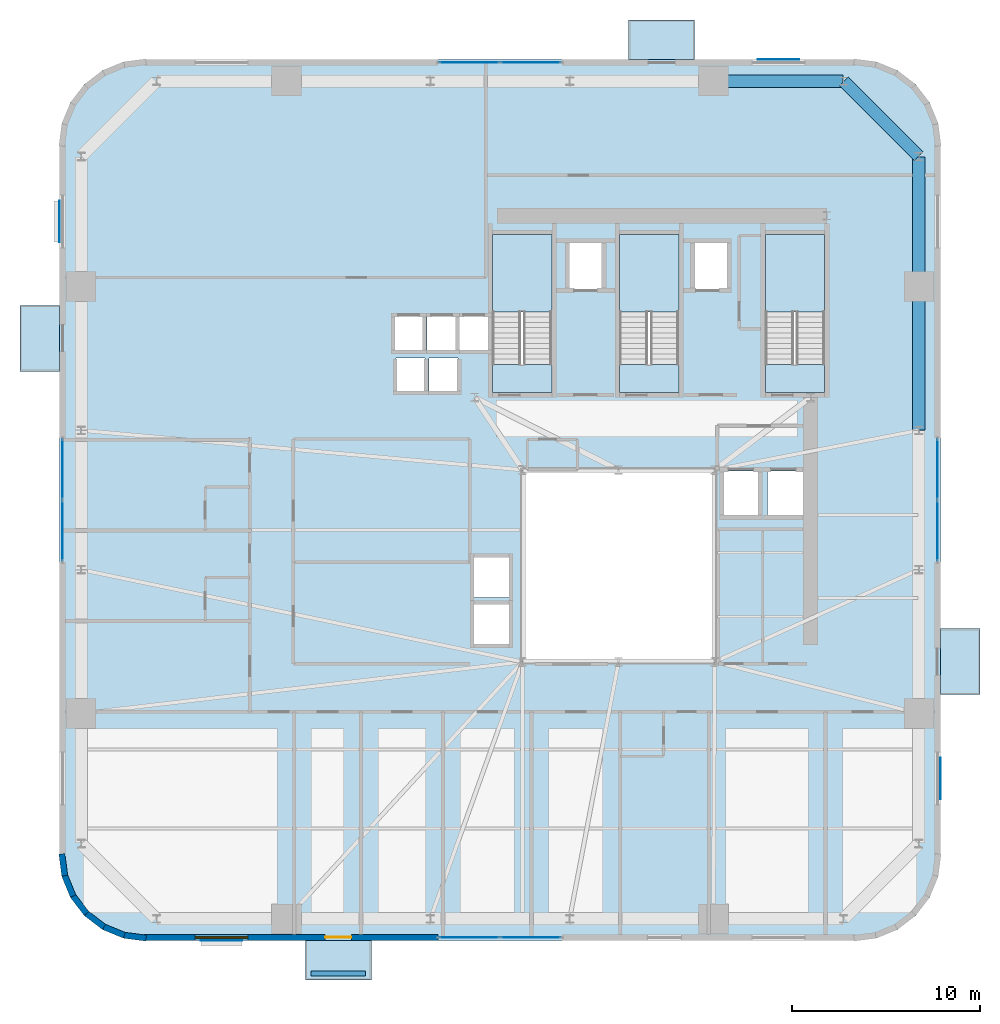
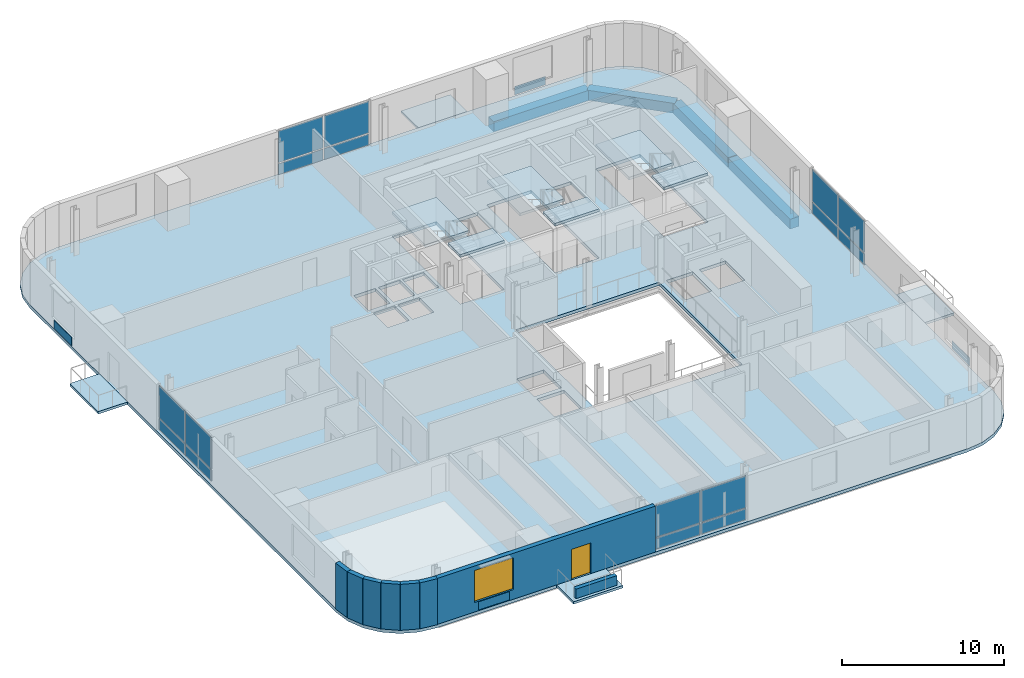
# One storey, part 5 of 11: 20 plates, 11 slabs, 8 walls, 4 beams, 1 door, 1 window, 2 openings, 7 elements without a shape of their own.
"""IFC4 building model written with IfcOpenShell, lengths in metres."""

from ifc_helpers import new_model, si_unit, direction, frame, frame_2d, origin, origin_2d, place, context, subcontext, project, spatial, polyline, rectangle, outline, extrude, source, transform, mapped, material, layer, layer_set, material_profile, profile_set, type_object, element, fill, aggregate, save


model = new_model("IFC4")

# Units and contexts
model_context = context("Model", 3, precision=1e-05, world=origin(), true_north=direction((0.0, 1.0)))
body_context = subcontext(model_context, "Body", "Model", "MODEL_VIEW")
ifc_project = project(units=[si_unit("LENGTHUNIT", "METRE"), si_unit("AREAUNIT", "SQUARE_METRE"), si_unit("VOLUMEUNIT", "CUBIC_METRE"), si_unit("PLANEANGLEUNIT", "RADIAN"), si_unit("MASSUNIT", "GRAM", prefix="KILO")], contexts=[model_context])

# Site, building, storey
site_placement = place(None, origin())
site = spatial("IfcSite", under=ifc_project, at=site_placement, CompositionType="ELEMENT")
building_placement = place(site_placement, origin())
building = spatial("IfcBuilding", under=site, at=building_placement, Name="Vardaveli Station Tower", CompositionType="ELEMENT")
storey_placement = place(building_placement, frame((0.0, 0.0, 155.699951171875)))
storey = spatial("IfcBuildingStorey", under=building, at=storey_placement, Name="L40", CompositionType="ELEMENT", Elevation=155.699951171875)

# Beams
ifc_material_1 = material(Name="Precast concrete C45/55", Category="concrete")
ifc_material_profile = material_profile(ifc_material_1, rectangle(XDim=0.64990234375, YDim=0.75, at=origin_2d()), Name="LPB 650x750")
ifc_profile_set = profile_set([ifc_material_profile], Name="Precast concrete C45/55")
beam_type = type_object("IfcBeamType", Name="BM-LPB-750", PredefinedType="BEAM", material=ifc_profile_set)
shared_shape_1 = source(origin(), body_context, "Body", "SweptSolid", [
    extrude(rectangle(XDim=0.64990234375, YDim=0.75, at=origin_2d()), origin(), (0.0, 0.0, 1.0), 7.60009765625),
])
beam_1_placement = place(storey_placement, frame((52.25, 28.919921875, -0.614990234375), z_axis=(0.0, 1.0, 0.0), x_axis=(-1.0, 0.0, 0.0)))
element("IfcBeam", 1, at=beam_1_placement, inside=storey, type_object=beam_type, Name="RBM-L40-09", PredefinedType="BEAM", context=body_context, shape_type="MappedRepresentation", body=[
    mapped(shared_shape_1, transform((0.0, 0.0, 0.0), scale=1.0)),
])
shared_shape_2 = source(origin(), body_context, "Body", "SweptSolid", [
    extrude(rectangle(XDim=0.64990234375, YDim=0.75, at=origin_2d()), origin(), (0.0, 0.0, 1.0), 6.869873046875),
])
for number, where, z_axis, x_axis, name in (
    (2, (52.25, 36.56005859375, -0.614990234375), (0.0, 1.0, 0.0), (-1.0, 0.0, 0.0), "RBM-L40-10"),
    (3, (48.22998046875, 47.449951171875, -0.614990234375), (-1.0, 0.0, 0.0), (0.0, -1.0, 0.0), "RBM-L40-12"),
):
    element("IfcBeam", number, at=place(storey_placement, frame(where, z_axis=z_axis, x_axis=x_axis)), inside=storey, type_object=beam_type, Name=name, PredefinedType="BEAM", context=body_context, shape_type="MappedRepresentation", body=[
        mapped(shared_shape_2, transform((0.0, 0.0, 0.0), scale=1.0)),
    ])
shared_shape_3 = source(origin(), body_context, "Body", "SweptSolid", [
    extrude(rectangle(XDim=0.64990234375, YDim=0.75, at=origin_2d()), origin(), (0.0, 0.0, 1.0), 5.61669921875),
])
beam_2_placement = place(storey_placement, frame((52.23583984375, 43.464111328125, -0.614990234375), z_axis=(-0.707106781187, 0.707106781187, 0.0), x_axis=(-0.707106781187, -0.707106781187, 0.0)))
element("IfcBeam", 4, at=beam_2_placement, inside=storey, type_object=beam_type, Name="RBM-L40-11", PredefinedType="BEAM", context=body_context, shape_type="MappedRepresentation", body=[
    mapped(shared_shape_3, transform((0.0, 0.0, 0.0), scale=1.0)),
])

# Stair, slabs
ifc_material_2 = material(Name="Concrete C40/50", Category="concrete")
stair_type = type_object("IfcStairType", Name="STR-CORE-1500", PredefinedType="HALF_TURN_STAIR", material=ifc_material_2)
stair_1_placement = place(storey_placement, origin())
stair_1 = element("IfcStair", 5, at=stair_1_placement, inside=storey, type_object=stair_type, Name="L40 ST-1", PredefinedType="HALF_TURN_STAIR")
ifc_layer_1 = layer(ifc_material_2, 0.199951171875, Name="Concrete C40/50")
ifc_layer_set_1 = layer_set([ifc_layer_1], Name="Concrete C40/50")
slab_type_1 = type_object("IfcSlabType", Name="SLB-LAND-200", PredefinedType="LANDING", material=ifc_layer_set_1)
slab_1_placement = place(storey_placement, frame((0.0, 0.0, 1.650146484375)))
slab_1 = element("IfcSlab", 6, at=slab_1_placement, type_object=slab_type_1, Name="ST-1 landing 1", PredefinedType="LANDING", context=body_context, shape_type="SweptSolid", body=[
    extrude(outline(polyline([(32.75, 35.199951171875), (32.75, 39.300048828125), (29.60009765625, 39.300048828125), (29.60009765625, 35.199951171875), (32.75, 35.199951171875)])), origin(), (0.0, 0.0, 1.0), 0.199951171875),
])
slab_2_placement = place(storey_placement, frame((0.0, 0.0, 3.5)))
slab_2 = element("IfcSlab", 7, at=slab_2_placement, type_object=slab_type_1, Name="ST-1 landing 2", PredefinedType="LANDING", context=body_context, shape_type="SweptSolid", body=[
    extrude(outline(polyline([(32.75, 30.89990234375), (32.75, 32.39990234375), (29.60009765625, 32.39990234375), (29.60009765625, 30.89990234375), (32.75, 30.89990234375)])), origin(), (0.0, 0.0, 1.0), 0.199951171875),
])
aggregate(stair_1, [slab_1, slab_2])

stair_2_placement = place(storey_placement, origin())
stair_2 = element("IfcStair", 8, at=stair_2_placement, inside=storey, type_object=stair_type, Name="L40 ST-2", PredefinedType="HALF_TURN_STAIR")
slab_3_placement = place(storey_placement, frame((0.0, 0.0, 1.650146484375)))
slab_3 = element("IfcSlab", 9, at=slab_3_placement, type_object=slab_type_1, Name="ST-2 landing 1", PredefinedType="LANDING", context=body_context, shape_type="SweptSolid", body=[
    extrude(outline(polyline([(39.5, 35.199951171875), (39.5, 39.300048828125), (36.35009765625, 39.300048828125), (36.35009765625, 35.199951171875), (39.5, 35.199951171875)])), origin(), (0.0, 0.0, 1.0), 0.199951171875),
])
slab_4_placement = place(storey_placement, frame((0.0, 0.0, 3.5)))
slab_4 = element("IfcSlab", 10, at=slab_4_placement, type_object=slab_type_1, Name="ST-2 landing 2", PredefinedType="LANDING", context=body_context, shape_type="SweptSolid", body=[
    extrude(outline(polyline([(39.5, 30.89990234375), (39.5, 32.39990234375), (36.35009765625, 32.39990234375), (36.35009765625, 30.89990234375), (39.5, 30.89990234375)])), origin(), (0.0, 0.0, 1.0), 0.199951171875),
])
aggregate(stair_2, [slab_3, slab_4])

stair_3_placement = place(storey_placement, origin())
stair_3 = element("IfcStair", 11, at=stair_3_placement, inside=storey, type_object=stair_type, Name="L40 ST-3", PredefinedType="HALF_TURN_STAIR")
slab_5_placement = place(storey_placement, frame((0.0, 0.0, 1.650146484375)))
slab_5 = element("IfcSlab", 12, at=slab_5_placement, type_object=slab_type_1, Name="ST-3 landing 1", PredefinedType="LANDING", context=body_context, shape_type="SweptSolid", body=[
    extrude(outline(polyline([(47.25, 35.199951171875), (47.25, 39.300048828125), (44.10009765625, 39.300048828125), (44.10009765625, 35.199951171875), (47.25, 35.199951171875)])), origin(), (0.0, 0.0, 1.0), 0.199951171875),
])
slab_6_placement = place(storey_placement, frame((0.0, 0.0, 3.5)))
slab_6 = element("IfcSlab", 13, at=slab_6_placement, type_object=slab_type_1, Name="ST-3 landing 2", PredefinedType="LANDING", context=body_context, shape_type="SweptSolid", body=[
    extrude(outline(polyline([(47.25, 30.89990234375), (47.25, 32.39990234375), (44.10009765625, 32.39990234375), (44.10009765625, 30.89990234375), (47.25, 30.89990234375)])), origin(), (0.0, 0.0, 1.0), 0.199951171875),
])
aggregate(stair_3, [slab_5, slab_6])

# Slabs
ifc_layer_2 = layer(ifc_material_1, 0.179931640625, Name="Precast concrete C45/55")
ifc_layer_set_2 = layer_set([ifc_layer_2], Name="Precast concrete C45/55")
slab_type_2 = type_object("IfcSlabType", Name="SLB-LOGGIA-180", PredefinedType="FLOOR", material=ifc_layer_set_2)
slab_7_placement = place(storey_placement, frame((0.0, 0.0, -0.179931640625)))
element("IfcSlab", 14, at=slab_7_placement, inside=storey, type_object=slab_type_2, Name="LOG-L40-S", PredefinedType="FLOOR", context=body_context, shape_type="SweptSolid", body=[
    extrude(outline(polyline([(19.660400390625, -0.300048828125), (23.160400390625, -0.300048828125), (23.160400390625, 1.800048828125), (19.660400390625, 1.800048828125), (19.660400390625, -0.300048828125)])), origin(), (0.0, 0.0, 1.0), 0.179931640625),
])
slab_8_placement = place(storey_placement, frame((0.0, 0.0, -0.179931640625)))
element("IfcSlab", 15, at=slab_8_placement, inside=storey, type_object=slab_type_2, Name="LOG-L40-N", PredefinedType="FLOOR", context=body_context, shape_type="SweptSolid", body=[
    extrude(outline(polyline([(36.839599609375, 48.60009765625), (40.339599609375, 48.60009765625), (40.339599609375, 50.699951171875), (36.839599609375, 50.699951171875), (36.839599609375, 48.60009765625)])), origin(), (0.0, 0.0, 1.0), 0.179931640625),
])
slab_9_placement = place(storey_placement, frame((0.0, 0.0, -0.179931640625)))
element("IfcSlab", 16, at=slab_9_placement, inside=storey, type_object=slab_type_2, Name="LOG-L40-W", PredefinedType="FLOOR", context=body_context, shape_type="SweptSolid", body=[
    extrude(outline(polyline([(4.5, 32.03955078125), (6.60009765625, 32.03955078125), (6.60009765625, 35.53955078125), (4.5, 35.53955078125), (4.5, 32.03955078125)])), origin(), (0.0, 0.0, 1.0), 0.179931640625),
])
slab_10_placement = place(storey_placement, frame((0.0, 0.0, -0.179931640625)))
element("IfcSlab", 17, at=slab_10_placement, inside=storey, type_object=slab_type_2, Name="LOG-L40-E", PredefinedType="FLOOR", context=body_context, shape_type="SweptSolid", body=[
    extrude(outline(polyline([(53.39990234375, 14.8603515625), (55.5, 14.8603515625), (55.5, 18.3603515625), (53.39990234375, 18.3603515625), (53.39990234375, 14.8603515625)])), origin(), (0.0, 0.0, 1.0), 0.179931640625),
])
ifc_layer_3 = layer(ifc_material_2, 0.239990234375, Name="Concrete C40/50")
ifc_layer_set_3 = layer_set([ifc_layer_3], Name="Concrete C40/50")
slab_type_3 = type_object("IfcSlabType", Name="SLB-TOW-240", PredefinedType="FLOOR", material=ifc_layer_set_3)
slab_11_placement = place(storey_placement, frame((0.0, 0.0, -0.239990234375)))
element("IfcSlab", 18, at=slab_11_placement, inside=storey, type_object=slab_type_3, Name="SLB-L40-MAIN", PredefinedType="FLOOR", context=body_context, shape_type="SweptSolid", body=[
    extrude(outline(polyline([(6.60009765625, 6.300048828125), (6.75341796875, 5.13525390625), (7.202880859375, 4.050048828125), (7.91796875, 3.117919921875), (8.85009765625, 2.40283203125), (9.935302734375, 1.953369140625), (11.10009765625, 1.800048828125), (48.89990234375, 1.800048828125), (50.064697265625, 1.953369140625), (51.14990234375, 2.40283203125), (52.08203125, 3.117919921875), (52.797119140625, 4.050048828125), (53.24658203125, 5.13525390625), (53.39990234375, 6.300048828125), (53.39990234375, 44.10009765625), (53.24658203125, 45.2646484375), (52.797119140625, 46.35009765625), (52.08203125, 47.281982421875), (51.14990234375, 47.9970703125), (50.064697265625, 48.44677734375), (48.89990234375, 48.60009765625), (11.10009765625, 48.60009765625), (9.935302734375, 48.44677734375), (8.85009765625, 47.9970703125), (7.91796875, 47.281982421875), (7.202880859375, 46.35009765625), (6.75341796875, 45.2646484375), (6.60009765625, 44.10009765625), (6.60009765625, 6.300048828125)]), holes=[polyline([(31.199951171875, 16.60009765625), (41.39990234375, 16.60009765625), (41.39990234375, 26.800048828125), (31.199951171875, 26.800048828125), (31.199951171875, 16.60009765625)]), polyline([(32.75, 30.89990234375), (32.75, 39.300048828125), (29.60009765625, 39.300048828125), (29.60009765625, 30.89990234375), (32.75, 30.89990234375)]), polyline([(39.5, 30.89990234375), (39.5, 39.300048828125), (36.35009765625, 39.300048828125), (36.35009765625, 30.89990234375), (39.5, 30.89990234375)]), polyline([(47.25, 30.89990234375), (47.25, 39.300048828125), (44.10009765625, 39.300048828125), (44.10009765625, 30.89990234375), (47.25, 30.89990234375)]), polyline([(24.385009765625, 33.135009765625), (25.9150390625, 33.135009765625), (25.9150390625, 34.965087890625), (24.385009765625, 34.965087890625), (24.385009765625, 33.135009765625)]), polyline([(26.135009765625, 33.135009765625), (27.6650390625, 33.135009765625), (27.6650390625, 34.965087890625), (26.135009765625, 34.965087890625), (26.135009765625, 33.135009765625)]), polyline([(27.8349609375, 33.135009765625), (29.364990234375, 33.135009765625), (29.364990234375, 34.965087890625), (27.8349609375, 34.965087890625), (27.8349609375, 33.135009765625)]), polyline([(33.659912109375, 36.409912109375), (35.43994140625, 36.409912109375), (35.43994140625, 38.889892578125), (33.659912109375, 38.889892578125), (33.659912109375, 36.409912109375)]), polyline([(40.31005859375, 36.409912109375), (42.090087890625, 36.409912109375), (42.090087890625, 38.889892578125), (40.31005859375, 38.889892578125), (40.31005859375, 36.409912109375)]), polyline([(24.485107421875, 30.9599609375), (26.014892578125, 30.9599609375), (26.014892578125, 32.739990234375), (24.485107421875, 32.739990234375), (24.485107421875, 30.9599609375)]), polyline([(26.235107421875, 30.9599609375), (27.764892578125, 30.9599609375), (27.764892578125, 32.739990234375), (26.235107421875, 32.739990234375), (26.235107421875, 30.9599609375)]), polyline([(28.5849609375, 17.510009765625), (30.514892578125, 17.510009765625), (30.514892578125, 19.68994140625), (28.5849609375, 19.68994140625), (28.5849609375, 17.510009765625)]), polyline([(28.5849609375, 20.010009765625), (30.514892578125, 20.010009765625), (30.514892578125, 22.18994140625), (28.5849609375, 22.18994140625), (28.5849609375, 20.010009765625)]), polyline([(41.860107421875, 24.360107421875), (43.739990234375, 24.360107421875), (43.739990234375, 26.739990234375), (41.860107421875, 26.739990234375), (41.860107421875, 24.360107421875)]), polyline([(44.2099609375, 24.360107421875), (46.090087890625, 24.360107421875), (46.090087890625, 26.739990234375), (44.2099609375, 26.739990234375), (44.2099609375, 24.360107421875)])]), origin(), (0.0, 0.0, 1.0), 0.239990234375),
])

# Curtain wall, plates
ifc_material_3 = material(Name="Travertine stone and solar-control glass", Category="masonry")
curtain_wall_type = type_object("IfcCurtainWallType", Name="CW-SYS-2", PredefinedType="NOTDEFINED", material=ifc_material_3)
curtain_wall_1_placement = place(storey_placement, origin())
curtain_wall_1 = element("IfcCurtainWall", 19, at=curtain_wall_1_placement, inside=storey, type_object=curtain_wall_type, Name="CW-L40-S", PredefinedType="NOTDEFINED")
ifc_material_4 = material(Name="Double-glazed low-E solar-control glass", Category="glass")
ifc_layer_4 = layer(ifc_material_4, 0.035888671875, Name="Double-glazed low-E solar-control glass")
ifc_layer_set_4 = layer_set([ifc_layer_4], Name="Double-glazed low-E solar-control glass")
plate_type_1 = type_object("IfcPlateType", Name="CW-SYS-2-PAN", PredefinedType="CURTAIN_PANEL", material=ifc_layer_set_4)
shared_shape_4 = source(origin(), body_context, "Body", "SweptSolid", [
    extrude(rectangle(XDim=3.172607421875, YDim=0.035888671875, at=origin_2d()), origin(), (0.0, 0.0, 1.0), 0.822509765625),
])
plate_1_placement = place(storey_placement, frame((28.371337890625, 1.9599609375, 0.0849609375), z_axis=(0.0, 0.0, 1.0), x_axis=(1.0, 0.0, 0.0)))
plate_1 = element("IfcPlate", 20, at=plate_1_placement, type_object=plate_type_1, Name="CW-2 panel 1.1", PredefinedType="CURTAIN_PANEL", context=body_context, shape_type="MappedRepresentation", body=[
    mapped(shared_shape_4, transform((0.0, 0.0, 0.0), scale=1.0)),
])
plate_2_placement = place(storey_placement, frame((31.628662109375, 1.9599609375, 0.0849609375), z_axis=(0.0, 0.0, 1.0), x_axis=(1.0, 0.0, 0.0)))
plate_2 = element("IfcPlate", 21, at=plate_2_placement, type_object=plate_type_1, Name="CW-2 panel 2.1", PredefinedType="CURTAIN_PANEL", context=body_context, shape_type="MappedRepresentation", body=[
    mapped(shared_shape_4, transform((0.0, 0.0, 0.0), scale=1.0)),
])

curtain_wall_2_placement = place(storey_placement, origin())
curtain_wall_2 = element("IfcCurtainWall", 22, at=curtain_wall_2_placement, inside=storey, type_object=curtain_wall_type, Name="CW-L40-N", PredefinedType="NOTDEFINED")
plate_3_placement = place(storey_placement, frame((31.628662109375, 48.43994140625, 0.0849609375), z_axis=(0.0, 0.0, 1.0), x_axis=(-1.0, 0.0, 0.0)))
plate_3 = element("IfcPlate", 23, at=plate_3_placement, type_object=plate_type_1, Name="CW-2 panel 1.1", PredefinedType="CURTAIN_PANEL", context=body_context, shape_type="MappedRepresentation", body=[
    mapped(shared_shape_4, transform((0.0, 0.0, 0.0), scale=1.0)),
])
plate_4_placement = place(storey_placement, frame((28.371337890625, 48.43994140625, 0.0849609375), z_axis=(0.0, 0.0, 1.0), x_axis=(-1.0, 0.0, 0.0)))
plate_4 = element("IfcPlate", 24, at=plate_4_placement, type_object=plate_type_1, Name="CW-2 panel 2.1", PredefinedType="CURTAIN_PANEL", context=body_context, shape_type="MappedRepresentation", body=[
    mapped(shared_shape_4, transform((0.0, 0.0, 0.0), scale=1.0)),
])

curtain_wall_3_placement = place(storey_placement, origin())
curtain_wall_3 = element("IfcCurtainWall", 25, at=curtain_wall_3_placement, inside=storey, type_object=curtain_wall_type, Name="CW-L40-W", PredefinedType="NOTDEFINED")
plate_5_placement = place(storey_placement, frame((6.760009765625, 26.828857421875, 0.0849609375), z_axis=(0.0, 0.0, 1.0), x_axis=(0.0, -1.0, 0.0)))
plate_5 = element("IfcPlate", 26, at=plate_5_placement, type_object=plate_type_1, Name="CW-2 panel 1.1", PredefinedType="CURTAIN_PANEL", context=body_context, shape_type="MappedRepresentation", body=[
    mapped(shared_shape_4, transform((0.0, 0.0, 0.0), scale=1.0)),
])
plate_6_placement = place(storey_placement, frame((6.760009765625, 23.5712890625, 0.0849609375), z_axis=(0.0, 0.0, 1.0), x_axis=(0.0, -1.0, 0.0)))
plate_6 = element("IfcPlate", 27, at=plate_6_placement, type_object=plate_type_1, Name="CW-2 panel 2.1", PredefinedType="CURTAIN_PANEL", context=body_context, shape_type="MappedRepresentation", body=[
    mapped(shared_shape_4, transform((0.0, 0.0, 0.0), scale=1.0)),
])

curtain_wall_4_placement = place(storey_placement, origin())
curtain_wall_4 = element("IfcCurtainWall", 28, at=curtain_wall_4_placement, inside=storey, type_object=curtain_wall_type, Name="CW-L40-E", PredefinedType="NOTDEFINED")
plate_7_placement = place(storey_placement, frame((53.239990234375, 23.5712890625, 0.0849609375), z_axis=(0.0, 0.0, 1.0), x_axis=(0.0, 1.0, 0.0)))
plate_7 = element("IfcPlate", 29, at=plate_7_placement, type_object=plate_type_1, Name="CW-2 panel 1.1", PredefinedType="CURTAIN_PANEL", context=body_context, shape_type="MappedRepresentation", body=[
    mapped(shared_shape_4, transform((0.0, 0.0, 0.0), scale=1.0)),
])
plate_8_placement = place(storey_placement, frame((53.239990234375, 26.828857421875, 0.0849609375), z_axis=(0.0, 0.0, 1.0), x_axis=(0.0, 1.0, 0.0)))
plate_8 = element("IfcPlate", 30, at=plate_8_placement, type_object=plate_type_1, Name="CW-2 panel 2.1", PredefinedType="CURTAIN_PANEL", context=body_context, shape_type="MappedRepresentation", body=[
    mapped(shared_shape_4, transform((0.0, 0.0, 0.0), scale=1.0)),
])

# Plates
ifc_material_5 = material(Name="Honed Caucasian travertine stone", Category="masonry")
ifc_layer_5 = layer(ifc_material_5, 0.034912109375, Name="Honed Caucasian travertine stone")
ifc_layer_set_5 = layer_set([ifc_layer_5], Name="Honed Caucasian travertine stone")
plate_type_2 = type_object("IfcPlateType", Name="PLT-TRAV-35", PredefinedType="SHEET", material=ifc_layer_set_5)
shared_shape_5 = source(origin(), body_context, "Body", "SweptSolid", [
    extrude(rectangle(XDim=2.199951171875, YDim=0.034912109375, at=origin_2d()), origin(), (0.0, 0.0, 1.0), 0.6201171875),
])
for number, where, z_axis, x_axis, name in (
    (31, (15.205078125, 1.79052734375, 0.070068359375), (0.0, 0.0, 1.0), (1.0, 0.0, 0.0), "PLT-TR-L40-S"),
    (32, (44.794921875, 48.609619140625, 0.070068359375), (0.0, 0.0, 1.0), (1.0, 0.0, 0.0), "PLT-TR-L40-N"),
    (33, (6.590576171875, 39.9951171875, 0.070068359375), (0.0, 0.0, 1.0), (0.0, 1.0, 0.0), "PLT-TR-L40-W"),
    (34, (53.409423828125, 10.405029296875, 0.070068359375), (0.0, 0.0, 1.0), (0.0, 1.0, 0.0), "PLT-TR-L40-E"),
):
    element("IfcPlate", number, at=place(storey_placement, frame(where, z_axis=z_axis, x_axis=x_axis)), inside=storey, type_object=plate_type_2, Name=name, PredefinedType="SHEET", context=body_context, shape_type="MappedRepresentation", body=[
        mapped(shared_shape_5, transform((0.0, 0.0, 0.0), scale=1.0)),
    ])

# Plate
shared_shape_6 = source(origin(), body_context, "Body", "SweptSolid", [
    extrude(rectangle(XDim=3.172607421875, YDim=0.035888671875, at=origin_2d()), origin(), (0.0, 0.0, 1.0), 2.382568359375),
])
plate_9_placement = place(storey_placement, frame((28.371337890625, 1.9599609375, 0.99267578125), z_axis=(0.0, 0.0, 1.0), x_axis=(1.0, 0.0, 0.0)))
plate_9 = element("IfcPlate", 35, at=plate_9_placement, type_object=plate_type_1, Name="CW-2 panel 1.2", PredefinedType="CURTAIN_PANEL", context=body_context, shape_type="MappedRepresentation", body=[
    mapped(shared_shape_6, transform((0.0, 0.0, 0.0), scale=1.0)),
])

plate_10_placement = place(storey_placement, frame((31.628662109375, 1.9599609375, 0.99267578125), z_axis=(0.0, 0.0, 1.0), x_axis=(1.0, 0.0, 0.0)))
plate_10 = element("IfcPlate", 36, at=plate_10_placement, type_object=plate_type_1, Name="CW-2 panel 2.2", PredefinedType="CURTAIN_PANEL", context=body_context, shape_type="MappedRepresentation", body=[
    mapped(shared_shape_6, transform((0.0, 0.0, 0.0), scale=1.0)),
])

aggregate(curtain_wall_1, [plate_1, plate_9, plate_2, plate_10])

plate_11_placement = place(storey_placement, frame((31.628662109375, 48.43994140625, 0.99267578125), z_axis=(0.0, 0.0, 1.0), x_axis=(-1.0, 0.0, 0.0)))
plate_11 = element("IfcPlate", 37, at=plate_11_placement, type_object=plate_type_1, Name="CW-2 panel 1.2", PredefinedType="CURTAIN_PANEL", context=body_context, shape_type="MappedRepresentation", body=[
    mapped(shared_shape_6, transform((0.0, 0.0, 0.0), scale=1.0)),
])

plate_12_placement = place(storey_placement, frame((28.371337890625, 48.43994140625, 0.99267578125), z_axis=(0.0, 0.0, 1.0), x_axis=(-1.0, 0.0, 0.0)))
plate_12 = element("IfcPlate", 38, at=plate_12_placement, type_object=plate_type_1, Name="CW-2 panel 2.2", PredefinedType="CURTAIN_PANEL", context=body_context, shape_type="MappedRepresentation", body=[
    mapped(shared_shape_6, transform((0.0, 0.0, 0.0), scale=1.0)),
])

aggregate(curtain_wall_2, [plate_3, plate_11, plate_4, plate_12])

plate_13_placement = place(storey_placement, frame((6.760009765625, 26.828857421875, 0.99267578125), z_axis=(0.0, 0.0, 1.0), x_axis=(0.0, -1.0, 0.0)))
plate_13 = element("IfcPlate", 39, at=plate_13_placement, type_object=plate_type_1, Name="CW-2 panel 1.2", PredefinedType="CURTAIN_PANEL", context=body_context, shape_type="MappedRepresentation", body=[
    mapped(shared_shape_6, transform((0.0, 0.0, 0.0), scale=1.0)),
])

plate_14_placement = place(storey_placement, frame((6.760009765625, 23.5712890625, 0.99267578125), z_axis=(0.0, 0.0, 1.0), x_axis=(0.0, -1.0, 0.0)))
plate_14 = element("IfcPlate", 40, at=plate_14_placement, type_object=plate_type_1, Name="CW-2 panel 2.2", PredefinedType="CURTAIN_PANEL", context=body_context, shape_type="MappedRepresentation", body=[
    mapped(shared_shape_6, transform((0.0, 0.0, 0.0), scale=1.0)),
])

aggregate(curtain_wall_3, [plate_5, plate_13, plate_6, plate_14])

plate_15_placement = place(storey_placement, frame((53.239990234375, 23.5712890625, 0.99267578125), z_axis=(0.0, 0.0, 1.0), x_axis=(0.0, 1.0, 0.0)))
plate_15 = element("IfcPlate", 41, at=plate_15_placement, type_object=plate_type_1, Name="CW-2 panel 1.2", PredefinedType="CURTAIN_PANEL", context=body_context, shape_type="MappedRepresentation", body=[
    mapped(shared_shape_6, transform((0.0, 0.0, 0.0), scale=1.0)),
])

plate_16_placement = place(storey_placement, frame((53.239990234375, 26.828857421875, 0.99267578125), z_axis=(0.0, 0.0, 1.0), x_axis=(0.0, 1.0, 0.0)))
plate_16 = element("IfcPlate", 42, at=plate_16_placement, type_object=plate_type_1, Name="CW-2 panel 2.2", PredefinedType="CURTAIN_PANEL", context=body_context, shape_type="MappedRepresentation", body=[
    mapped(shared_shape_6, transform((0.0, 0.0, 0.0), scale=1.0)),
])

aggregate(curtain_wall_4, [plate_7, plate_15, plate_8, plate_16])

# Wall
ifc_layer_6 = layer(ifc_material_1, 0.280029296875, Name="Precast concrete C45/55")
ifc_layer_set_6 = layer_set([ifc_layer_6], Name="Precast concrete C45/55")
wall_type_1 = type_object("IfcWallType", Name="WAL-PARAPET-280", PredefinedType="SOLIDWALL", material=ifc_layer_set_6)
shared_shape_7 = source(origin(), body_context, "Body", "SweptSolid", [
    extrude(rectangle(XDim=2.89990234375, YDim=0.280029296875, at=frame_2d((1.449951171875, 0.0))), origin(), (0.0, 0.0, 1.0), 0.719970703125),
])
wall_1_placement = place(storey_placement, frame((19.96044921875, 0.050048828125, 0.0), z_axis=(0.0, 0.0, 1.0), x_axis=(1.0, 0.0, 0.0)))
element("IfcWall", 43, at=wall_1_placement, inside=storey, type_object=wall_type_1, Name="Terrace Travertine Planter L40", PredefinedType="SOLIDWALL", context=body_context, shape_type="MappedRepresentation", body=[
    mapped(shared_shape_7, transform((0.0, 0.0, 0.0), scale=1.0)),
])

# Wall, openings, door, window
ifc_layer_7 = layer(ifc_material_1, 0.320068359375, Name="Precast concrete C45/55")
ifc_layer_set_7 = layer_set([ifc_layer_7], Name="Precast concrete C45/55")
wall_type_2 = type_object("IfcWallType", Name="WAL-EXT-STONE-320", PredefinedType="SOLIDWALL", material=ifc_layer_set_7)
shared_shape_8 = source(origin(), body_context, "Body", "SweptSolid", [
    extrude(rectangle(XDim=15.599853515625, YDim=0.320068359375, at=frame_2d((7.7998046875, 0.0))), origin(), (0.0, 0.0, 1.0), 3.4599609375),
])
wall_2_placement = place(storey_placement, frame((11.10009765625, 1.9599609375, 0.0), z_axis=(0.0, 0.0, 1.0), x_axis=(1.0, 0.0, 0.0)))
wall_2 = element("IfcWall", 44, at=wall_2_placement, inside=storey, type_object=wall_type_2, Name="EW-L40-S1", PredefinedType="SOLIDWALL", context=body_context, shape_type="MappedRepresentation", body=[
    mapped(shared_shape_8, transform((0.0, 0.0, 0.0), scale=1.0)),
])
shared_shape_9 = source(origin(), body_context, "Body", "SweptSolid", [
    extrude(rectangle(XDim=1.39990234375, YDim=2.300048828125, at=frame_2d((0.699951171875, 1.14990234375))), frame((0.0, 0.169921875, 0.0), z_axis=(0.0, -1.0, 0.0), x_axis=(1.0, 0.0, 0.0)), (0.0, 0.0, 1.0), 0.340087890625),
])
opening_1_placement = place(wall_2_placement, frame((9.6103515625, 0.0, 0.0)))
opening_1 = element("IfcOpeningElement", 45, at=opening_1_placement, cuts=wall_2, Name="Opening D-09", PredefinedType="OPENING", context=body_context, shape_type="MappedRepresentation", body=[
    mapped(shared_shape_9, transform((0.0, 0.0, 0.0), scale=1.0)),
])
shared_shape_10 = source(origin(), body_context, "Body", "SweptSolid", [
    extrude(rectangle(XDim=2.800048828125, YDim=2.39990234375, at=frame_2d((1.39990234375, 1.199951171875))), frame((0.0, 0.169921875, 0.0), z_axis=(0.0, -1.0, 0.0), x_axis=(1.0, 0.0, 0.0)), (0.0, 0.0, 1.0), 0.340087890625),
])
opening_2_placement = place(wall_2_placement, frame((2.705078125, 0.0, 0.719970703125)))
opening_2 = element("IfcOpeningElement", 46, at=opening_2_placement, cuts=wall_2, Name="Opening W-04", PredefinedType="OPENING", context=body_context, shape_type="MappedRepresentation", body=[
    mapped(shared_shape_10, transform((0.0, 0.0, 0.0), scale=1.0)),
])
ifc_material_6 = material(Name="Thermally broken aluminium glass", Category="aluminium")
door_type = type_object("IfcDoorType", Name="DR-LOG-1400x2300", OperationType="DOUBLE_DOOR_SLIDING", PredefinedType="DOOR", material=ifc_material_6)
shared_shape_11 = source(origin(), body_context, "Body", "SweptSolid", [
    extrude(rectangle(XDim=1.39990234375, YDim=2.300048828125, at=frame_2d((0.699951171875, 1.14990234375))), frame((0.0, 0.02490234375, 0.0), z_axis=(0.0, -1.0, 0.0), x_axis=(1.0, 0.0, 0.0)), (0.0, 0.0, 1.0), 0.050048828125),
])
door_placement = place(opening_1_placement, frame((1.39990234375, 0.0, 0.0), z_axis=(0.0, 0.0, 1.0), x_axis=(-1.0, 0.0, 0.0)))
door = element("IfcDoor", 47, at=door_placement, inside=storey, type_object=door_type, Name="DLG-L40-S", OperationType="DOUBLE_DOOR_SLIDING", OverallHeight=2.300048828125, OverallWidth=1.39990234375, PredefinedType="DOOR", context=body_context, shape_type="MappedRepresentation", body=[
    mapped(shared_shape_11, transform((0.0, 0.0, 0.0), scale=1.0)),
])
fill(opening_1, door)
ifc_material_7 = material(Name="Low-E solar-control glass", Category="glass")
window_type = type_object("IfcWindowType", Name="WIN-SUITE-2800x2400", PartitioningType="SINGLE_PANEL", PredefinedType="WINDOW", material=ifc_material_7)
shared_shape_12 = source(origin(), body_context, "Body", "SweptSolid", [
    extrude(rectangle(XDim=2.800048828125, YDim=2.39990234375, at=frame_2d((1.39990234375, 1.199951171875))), frame((0.0, 0.030029296875, 0.0), z_axis=(0.0, -1.0, 0.0), x_axis=(1.0, 0.0, 0.0)), (0.0, 0.0, 1.0), 0.06005859375),
])
window_placement = place(opening_2_placement, origin())
window = element("IfcWindow", 48, at=window_placement, inside=storey, type_object=window_type, Name="WN-L40-S1", OverallHeight=2.39990234375, OverallWidth=2.800048828125, PartitioningType="SINGLE_PANEL", PredefinedType="WINDOW", context=body_context, shape_type="MappedRepresentation", body=[
    mapped(shared_shape_12, transform((0.0, 0.0, 0.0), scale=1.0)),
])
fill(opening_2, window)

# Walls
shared_shape_13 = source(origin(), body_context, "Body", "SweptSolid", [
    extrude(rectangle(XDim=1.170654296875, YDim=0.320068359375, at=frame_2d((0.58544921875, 0.0))), origin(), (0.0, 0.0, 1.0), 3.4599609375),
])
wall_3_placement = place(storey_placement, frame((6.724365234375, 6.400634765625, 0.0), z_axis=(0.0, 0.0, 1.0), x_axis=(0.128269133229, -0.991739395941, 0.0)))
element("IfcWall", 49, at=wall_3_placement, inside=storey, type_object=wall_type_2, Name="EW-L40-CR1-1", PredefinedType="SOLIDWALL", context=body_context, shape_type="MappedRepresentation", body=[
    mapped(shared_shape_13, transform((0.0, 0.0, 0.0), scale=1.0)),
])
shared_shape_14 = source(origin(), body_context, "Body", "SweptSolid", [
    extrude(rectangle(XDim=1.1689453125, YDim=0.320068359375, at=frame_2d((0.58447265625, 0.0))), origin(), (0.0, 0.0, 1.0), 3.4599609375),
])
for number, where, z_axis, x_axis, name in (
    (50, (6.87451171875, 5.23974609375, 0.0), (0.0, 0.0, 1.0), (0.381127904695, -0.924522320046, 0.0), "EW-L40-CR1-2"),
    (51, (7.320068359375, 4.158935546875, 0.0), (0.0, 0.0, 1.0), (0.608387696831, -0.793639975269, 0.0), "EW-L40-CR1-3"),
):
    element("IfcWall", number, at=place(storey_placement, frame(where, z_axis=z_axis, x_axis=x_axis)), inside=storey, type_object=wall_type_2, Name=name, PredefinedType="SOLIDWALL", context=body_context, shape_type="MappedRepresentation", body=[
        mapped(shared_shape_14, transform((0.0, 0.0, 0.0), scale=1.0)),
    ])
shared_shape_15 = source(origin(), body_context, "Body", "SweptSolid", [
    extrude(rectangle(XDim=1.168701171875, YDim=0.320068359375, at=frame_2d((0.58447265625, 0.0))), origin(), (0.0, 0.0, 1.0), 3.4599609375),
])
wall_4_placement = place(storey_placement, frame((8.03125, 3.231201171875, 0.0), z_axis=(0.0, 0.0, 1.0), x_axis=(0.793663520347, -0.608356981114, 0.0)))
element("IfcWall", 52, at=wall_4_placement, inside=storey, type_object=wall_type_2, Name="EW-L40-CR1-4", PredefinedType="SOLIDWALL", context=body_context, shape_type="MappedRepresentation", body=[
    mapped(shared_shape_15, transform((0.0, 0.0, 0.0), scale=1.0)),
])
shared_shape_16 = source(origin(), body_context, "Body", "SweptSolid", [
    extrude(rectangle(XDim=1.16943359375, YDim=0.320068359375, at=frame_2d((0.584716796875, 0.0))), origin(), (0.0, 0.0, 1.0), 3.4599609375),
])
wall_5_placement = place(storey_placement, frame((8.958740234375, 2.520263671875, 0.0), z_axis=(0.0, 0.0, 1.0), x_axis=(0.924479075121, -0.381232789334, 0.0)))
element("IfcWall", 53, at=wall_5_placement, inside=storey, type_object=wall_type_2, Name="EW-L40-CR1-5", PredefinedType="SOLIDWALL", context=body_context, shape_type="MappedRepresentation", body=[
    mapped(shared_shape_16, transform((0.0, 0.0, 0.0), scale=1.0)),
])
shared_shape_17 = source(origin(), body_context, "Body", "SweptSolid", [
    extrude(rectangle(XDim=1.170166015625, YDim=0.320068359375, at=frame_2d((0.5849609375, 0.0))), origin(), (0.0, 0.0, 1.0), 3.4599609375),
])
wall_6_placement = place(storey_placement, frame((10.039794921875, 2.074462890625, 0.0), z_axis=(0.0, 0.0, 1.0), x_axis=(0.991762485493, -0.128090485085, 0.0)))
element("IfcWall", 54, at=wall_6_placement, inside=storey, type_object=wall_type_2, Name="EW-L40-CR1-6", PredefinedType="SOLIDWALL", context=body_context, shape_type="MappedRepresentation", body=[
    mapped(shared_shape_17, transform((0.0, 0.0, 0.0), scale=1.0)),
])

save(model, "model.ifc")
